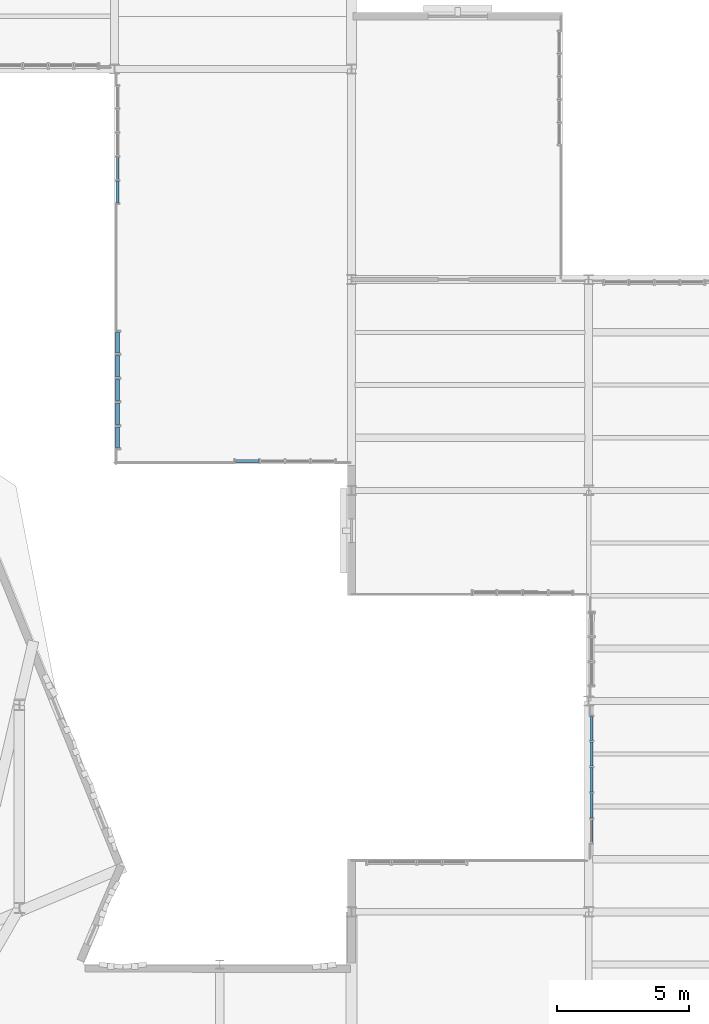
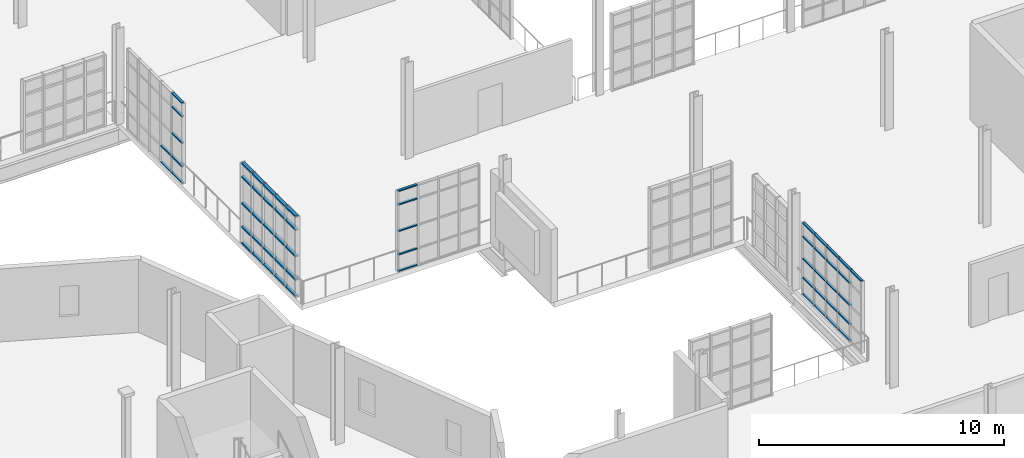
# One storey, part 66 of 122: 58 members, 4 elements without a shape of their own.
"""IFC4 building model written with IfcOpenShell, lengths in metres."""

from ifc_helpers import new_model, si_unit, direction, frame, origin, origin_2d, place, context, subcontext, project, spatial, hollow_rectangle, extrude, material, layer, layer_set, material_profile, profile_set, type_object, element, aggregate, save


model = new_model("IFC4")

# Units and contexts
model_context = context("Model", 3, precision=1e-05, world=origin(), true_north=direction((0.0, 1.0)))
body_context = subcontext(model_context, "Body", "Model", "MODEL_VIEW")
ifc_project = project(units=[si_unit("LENGTHUNIT", "METRE"), si_unit("AREAUNIT", "SQUARE_METRE"), si_unit("VOLUMEUNIT", "CUBIC_METRE"), si_unit("PLANEANGLEUNIT", "RADIAN"), si_unit("MASSUNIT", "GRAM", prefix="KILO"), si_unit("THERMODYNAMICTEMPERATUREUNIT", "KELVIN"), si_unit("POWERUNIT", "WATT")], contexts=[model_context])

# Site, building, storey
site_placement = place(None, origin())
site = spatial("IfcSite", under=ifc_project, at=site_placement, CompositionType="ELEMENT")
building_placement = place(site_placement, origin())
building = spatial("IfcBuilding", under=site, at=building_placement, Name="Zelmaris Science Centre", CompositionType="ELEMENT")
storey_placement = place(building_placement, frame((0.0, 0.0, 10.800048828125)))
storey = spatial("IfcBuildingStorey", under=building, at=storey_placement, Name="L02", CompositionType="ELEMENT", Elevation=10.800048828125)

# Curtain wall, members
ifc_material = material(Name="Anodised architectural aluminium 6063-T6", Category="aluminium")
ifc_layer_1 = layer(ifc_material, 0.219970703125, Name="Anodised architectural aluminium 6063-T6")
ifc_layer_set_1 = layer_set([ifc_layer_1], Name="Anodised architectural aluminium 6063-T6")
curtain_wall_type_1 = type_object("IfcCurtainWallType", Name="Curtain Wall CW-04", PredefinedType="USERDEFINED", material=ifc_layer_set_1)
curtain_wall_1_placement = place(storey_placement, origin())
curtain_wall_1 = element("IfcCurtainWall", 1, at=curtain_wall_1_placement, inside=storey, type_object=curtain_wall_type_1, Name="L02 Unitised curtain wall 264", ObjectType="GLAZED CURTAIN WALL", PredefinedType="USERDEFINED")
ifc_material_profile_1 = material_profile(ifc_material, hollow_rectangle(XDim=0.06005859375, YDim=0.110107421875, WallThickness=0.0029296875, at=origin_2d()), Name="ALU-TRN-60X110")
ifc_profile_set_1 = profile_set([ifc_material_profile_1], Name="Anodised architectural aluminium 6063-T6")
member_type_1 = type_object("IfcMemberType", Name="ALU-TRN-60X110", PredefinedType="USERDEFINED", material=ifc_profile_set_1)
member_1_placement = place(storey_placement, frame((117.1103515625, 34.61865234375, 3.552001953125), z_axis=(0.001084304052, 0.999999412142, 0.0), x_axis=(0.0, 0.0, 1.0)))
member_1 = element("IfcMember", 2, at=member_1_placement, type_object=member_type_1, Name="CW-04 transom 1.5", ObjectType="TRANSOM", PredefinedType="USERDEFINED", context=body_context, shape_type="SweptSolid", body=[
    extrude(hollow_rectangle(XDim=0.06005859375, YDim=0.110107421875, WallThickness=0.0029296875, at=origin_2d()), origin(), (0.0, 0.0, 1.0), 0.900634765625),
])
member_2_placement = place(storey_placement, frame((117.111328125, 35.5712890625, 0.010986328125), z_axis=(0.00105401786, 0.999999444523, 0.0), x_axis=(0.0, 0.0, 1.0)))
member_2 = element("IfcMember", 3, at=member_2_placement, type_object=member_type_1, Name="CW-04 transom 2.1", ObjectType="TRANSOM", PredefinedType="USERDEFINED", context=body_context, shape_type="SweptSolid", body=[
    extrude(hollow_rectangle(XDim=0.06005859375, YDim=0.110107421875, WallThickness=0.0029296875, at=origin_2d()), origin(), (0.0, 0.0, 1.0), 0.926513671875),
])
member_3_placement = place(storey_placement, frame((117.111328125, 35.5712890625, 0.8349609375), z_axis=(0.00105401786, 0.999999444523, 0.0), x_axis=(0.0, 0.0, 1.0)))
member_3 = element("IfcMember", 4, at=member_3_placement, type_object=member_type_1, Name="CW-04 transom 2.2", ObjectType="TRANSOM", PredefinedType="USERDEFINED", context=body_context, shape_type="SweptSolid", body=[
    extrude(hollow_rectangle(XDim=0.06005859375, YDim=0.110107421875, WallThickness=0.0029296875, at=origin_2d()), origin(), (0.0, 0.0, 1.0), 0.926513671875),
])
member_4_placement = place(storey_placement, frame((117.111328125, 35.5712890625, 1.781494140625), z_axis=(0.00105401786, 0.999999444523, 0.0), x_axis=(0.0, 0.0, 1.0)))
member_4 = element("IfcMember", 5, at=member_4_placement, type_object=member_type_1, Name="CW-04 transom 2.3", ObjectType="TRANSOM", PredefinedType="USERDEFINED", context=body_context, shape_type="SweptSolid", body=[
    extrude(hollow_rectangle(XDim=0.06005859375, YDim=0.110107421875, WallThickness=0.0029296875, at=origin_2d()), origin(), (0.0, 0.0, 1.0), 0.926513671875),
])
member_5_placement = place(storey_placement, frame((117.111328125, 35.5712890625, 2.8779296875), z_axis=(0.00105401786, 0.999999444523, 0.0), x_axis=(0.0, 0.0, 1.0)))
member_5 = element("IfcMember", 6, at=member_5_placement, type_object=member_type_1, Name="CW-04 transom 2.4", ObjectType="TRANSOM", PredefinedType="USERDEFINED", context=body_context, shape_type="SweptSolid", body=[
    extrude(hollow_rectangle(XDim=0.06005859375, YDim=0.110107421875, WallThickness=0.0029296875, at=origin_2d()), origin(), (0.0, 0.0, 1.0), 0.926513671875),
])
member_6_placement = place(storey_placement, frame((117.111328125, 35.5712890625, 3.552001953125), z_axis=(0.00105401786, 0.999999444523, 0.0), x_axis=(0.0, 0.0, 1.0)))
member_6 = element("IfcMember", 7, at=member_6_placement, type_object=member_type_1, Name="CW-04 transom 2.5", ObjectType="TRANSOM", PredefinedType="USERDEFINED", context=body_context, shape_type="SweptSolid", body=[
    extrude(hollow_rectangle(XDim=0.06005859375, YDim=0.110107421875, WallThickness=0.0029296875, at=origin_2d()), origin(), (0.0, 0.0, 1.0), 0.926513671875),
])
member_7_placement = place(storey_placement, frame((117.1123046875, 36.5498046875, 0.010986328125), z_axis=(0.001053740195, 0.999999444816, 0.0), x_axis=(0.0, 0.0, 1.0)))
member_7 = element("IfcMember", 8, at=member_7_placement, type_object=member_type_1, Name="CW-04 transom 3.1", ObjectType="TRANSOM", PredefinedType="USERDEFINED", context=body_context, shape_type="SweptSolid", body=[
    extrude(hollow_rectangle(XDim=0.06005859375, YDim=0.110107421875, WallThickness=0.0029296875, at=origin_2d()), origin(), (0.0, 0.0, 1.0), 0.9267578125),
])
member_8_placement = place(storey_placement, frame((117.1123046875, 36.5498046875, 0.8349609375), z_axis=(0.001053740195, 0.999999444816, 0.0), x_axis=(0.0, 0.0, 1.0)))
member_8 = element("IfcMember", 9, at=member_8_placement, type_object=member_type_1, Name="CW-04 transom 3.2", ObjectType="TRANSOM", PredefinedType="USERDEFINED", context=body_context, shape_type="SweptSolid", body=[
    extrude(hollow_rectangle(XDim=0.06005859375, YDim=0.110107421875, WallThickness=0.0029296875, at=origin_2d()), origin(), (0.0, 0.0, 1.0), 0.9267578125),
])
member_9_placement = place(storey_placement, frame((117.1123046875, 36.5498046875, 1.781494140625), z_axis=(0.001053740195, 0.999999444816, 0.0), x_axis=(0.0, 0.0, 1.0)))
member_9 = element("IfcMember", 10, at=member_9_placement, type_object=member_type_1, Name="CW-04 transom 3.3", ObjectType="TRANSOM", PredefinedType="USERDEFINED", context=body_context, shape_type="SweptSolid", body=[
    extrude(hollow_rectangle(XDim=0.06005859375, YDim=0.110107421875, WallThickness=0.0029296875, at=origin_2d()), origin(), (0.0, 0.0, 1.0), 0.9267578125),
])
member_10_placement = place(storey_placement, frame((117.1123046875, 36.5498046875, 2.8779296875), z_axis=(0.001053740195, 0.999999444816, 0.0), x_axis=(0.0, 0.0, 1.0)))
member_10 = element("IfcMember", 11, at=member_10_placement, type_object=member_type_1, Name="CW-04 transom 3.4", ObjectType="TRANSOM", PredefinedType="USERDEFINED", context=body_context, shape_type="SweptSolid", body=[
    extrude(hollow_rectangle(XDim=0.06005859375, YDim=0.110107421875, WallThickness=0.0029296875, at=origin_2d()), origin(), (0.0, 0.0, 1.0), 0.9267578125),
])
member_11_placement = place(storey_placement, frame((117.1123046875, 36.5498046875, 3.552001953125), z_axis=(0.001053740195, 0.999999444816, 0.0), x_axis=(0.0, 0.0, 1.0)))
member_11 = element("IfcMember", 12, at=member_11_placement, type_object=member_type_1, Name="CW-04 transom 3.5", ObjectType="TRANSOM", PredefinedType="USERDEFINED", context=body_context, shape_type="SweptSolid", body=[
    extrude(hollow_rectangle(XDim=0.06005859375, YDim=0.110107421875, WallThickness=0.0029296875, at=origin_2d()), origin(), (0.0, 0.0, 1.0), 0.9267578125),
])
member_12_placement = place(storey_placement, frame((117.113525390625, 37.528564453125, 0.010986328125), z_axis=(0.000790305338, 0.999999687709, 0.0), x_axis=(0.0, 0.0, 1.0)))
member_12 = element("IfcMember", 13, at=member_12_placement, type_object=member_type_1, Name="CW-04 transom 4.1", ObjectType="TRANSOM", PredefinedType="USERDEFINED", context=body_context, shape_type="SweptSolid", body=[
    extrude(hollow_rectangle(XDim=0.06005859375, YDim=0.110107421875, WallThickness=0.0029296875, at=origin_2d()), origin(), (0.0, 0.0, 1.0), 0.9267578125),
])
member_13_placement = place(storey_placement, frame((117.113525390625, 37.528564453125, 0.8349609375), z_axis=(0.000790305338, 0.999999687709, 0.0), x_axis=(0.0, 0.0, 1.0)))
member_13 = element("IfcMember", 14, at=member_13_placement, type_object=member_type_1, Name="CW-04 transom 4.2", ObjectType="TRANSOM", PredefinedType="USERDEFINED", context=body_context, shape_type="SweptSolid", body=[
    extrude(hollow_rectangle(XDim=0.06005859375, YDim=0.110107421875, WallThickness=0.0029296875, at=origin_2d()), origin(), (0.0, 0.0, 1.0), 0.9267578125),
])
member_14_placement = place(storey_placement, frame((117.113525390625, 37.528564453125, 1.781494140625), z_axis=(0.000790305338, 0.999999687709, 0.0), x_axis=(0.0, 0.0, 1.0)))
member_14 = element("IfcMember", 15, at=member_14_placement, type_object=member_type_1, Name="CW-04 transom 4.3", ObjectType="TRANSOM", PredefinedType="USERDEFINED", context=body_context, shape_type="SweptSolid", body=[
    extrude(hollow_rectangle(XDim=0.06005859375, YDim=0.110107421875, WallThickness=0.0029296875, at=origin_2d()), origin(), (0.0, 0.0, 1.0), 0.9267578125),
])
member_15_placement = place(storey_placement, frame((117.113525390625, 37.528564453125, 2.8779296875), z_axis=(0.000790305338, 0.999999687709, 0.0), x_axis=(0.0, 0.0, 1.0)))
member_15 = element("IfcMember", 16, at=member_15_placement, type_object=member_type_1, Name="CW-04 transom 4.4", ObjectType="TRANSOM", PredefinedType="USERDEFINED", context=body_context, shape_type="SweptSolid", body=[
    extrude(hollow_rectangle(XDim=0.06005859375, YDim=0.110107421875, WallThickness=0.0029296875, at=origin_2d()), origin(), (0.0, 0.0, 1.0), 0.9267578125),
])
member_16_placement = place(storey_placement, frame((117.113525390625, 37.528564453125, 3.552001953125), z_axis=(0.000790305338, 0.999999687709, 0.0), x_axis=(0.0, 0.0, 1.0)))
member_16 = element("IfcMember", 17, at=member_16_placement, type_object=member_type_1, Name="CW-04 transom 4.5", ObjectType="TRANSOM", PredefinedType="USERDEFINED", context=body_context, shape_type="SweptSolid", body=[
    extrude(hollow_rectangle(XDim=0.06005859375, YDim=0.110107421875, WallThickness=0.0029296875, at=origin_2d()), origin(), (0.0, 0.0, 1.0), 0.9267578125),
])
member_17_placement = place(storey_placement, frame((117.114501953125, 38.50732421875, 0.010986328125), z_axis=(0.000813228248, 0.99999966933, 0.0), x_axis=(0.0, 0.0, 1.0)))
member_17 = element("IfcMember", 18, at=member_17_placement, type_object=member_type_1, Name="CW-04 transom 5.1", ObjectType="TRANSOM", PredefinedType="USERDEFINED", context=body_context, shape_type="SweptSolid", body=[
    extrude(hollow_rectangle(XDim=0.06005859375, YDim=0.110107421875, WallThickness=0.0029296875, at=origin_2d()), origin(), (0.0, 0.0, 1.0), 0.900634765625),
])
member_18_placement = place(storey_placement, frame((117.114501953125, 38.50732421875, 0.8349609375), z_axis=(0.000813228248, 0.99999966933, 0.0), x_axis=(0.0, 0.0, 1.0)))
member_18 = element("IfcMember", 19, at=member_18_placement, type_object=member_type_1, Name="CW-04 transom 5.2", ObjectType="TRANSOM", PredefinedType="USERDEFINED", context=body_context, shape_type="SweptSolid", body=[
    extrude(hollow_rectangle(XDim=0.06005859375, YDim=0.110107421875, WallThickness=0.0029296875, at=origin_2d()), origin(), (0.0, 0.0, 1.0), 0.900634765625),
])
member_19_placement = place(storey_placement, frame((117.114501953125, 38.50732421875, 1.781494140625), z_axis=(0.000813228248, 0.99999966933, 0.0), x_axis=(0.0, 0.0, 1.0)))
member_19 = element("IfcMember", 20, at=member_19_placement, type_object=member_type_1, Name="CW-04 transom 5.3", ObjectType="TRANSOM", PredefinedType="USERDEFINED", context=body_context, shape_type="SweptSolid", body=[
    extrude(hollow_rectangle(XDim=0.06005859375, YDim=0.110107421875, WallThickness=0.0029296875, at=origin_2d()), origin(), (0.0, 0.0, 1.0), 0.900634765625),
])
member_20_placement = place(storey_placement, frame((117.114501953125, 38.50732421875, 2.8779296875), z_axis=(0.000813228248, 0.99999966933, 0.0), x_axis=(0.0, 0.0, 1.0)))
member_20 = element("IfcMember", 21, at=member_20_placement, type_object=member_type_1, Name="CW-04 transom 5.4", ObjectType="TRANSOM", PredefinedType="USERDEFINED", context=body_context, shape_type="SweptSolid", body=[
    extrude(hollow_rectangle(XDim=0.06005859375, YDim=0.110107421875, WallThickness=0.0029296875, at=origin_2d()), origin(), (0.0, 0.0, 1.0), 0.900634765625),
])
member_21_placement = place(storey_placement, frame((117.114501953125, 38.50732421875, 3.552001953125), z_axis=(0.000813228248, 0.99999966933, 0.0), x_axis=(0.0, 0.0, 1.0)))
member_21 = element("IfcMember", 22, at=member_21_placement, type_object=member_type_1, Name="CW-04 transom 5.5", ObjectType="TRANSOM", PredefinedType="USERDEFINED", context=body_context, shape_type="SweptSolid", body=[
    extrude(hollow_rectangle(XDim=0.06005859375, YDim=0.110107421875, WallThickness=0.0029296875, at=origin_2d()), origin(), (0.0, 0.0, 1.0), 0.900634765625),
])
aggregate(curtain_wall_1, [member_1, member_2, member_3, member_4, member_5, member_6, member_7, member_8, member_9, member_10, member_11, member_12, member_13, member_14, member_15, member_16, member_17, member_18, member_19, member_20, member_21])

curtain_wall_2_placement = place(storey_placement, origin())
curtain_wall_2 = element("IfcCurtainWall", 23, at=curtain_wall_2_placement, inside=storey, type_object=curtain_wall_type_1, Name="L02 Unitised curtain wall 268", ObjectType="GLAZED CURTAIN WALL", PredefinedType="USERDEFINED")
member_22_placement = place(storey_placement, frame((104.482421875, 49.118408203125, 0.010986328125), z_axis=(-0.999999962511, 0.000273822553, 0.0), x_axis=(0.0, 0.0, 1.0)))
member_22 = element("IfcMember", 24, at=member_22_placement, type_object=member_type_1, Name="CW-04 transom 4.1", ObjectType="TRANSOM", PredefinedType="USERDEFINED", context=body_context, shape_type="SweptSolid", body=[
    extrude(hollow_rectangle(XDim=0.06005859375, YDim=0.110107421875, WallThickness=0.0029296875, at=origin_2d()), origin(), (0.0, 0.0, 1.0), 0.8916015625),
])
member_23_placement = place(storey_placement, frame((104.482421875, 49.118408203125, 0.8349609375), z_axis=(-0.999999962511, 0.000273822553, 0.0), x_axis=(0.0, 0.0, 1.0)))
member_23 = element("IfcMember", 25, at=member_23_placement, type_object=member_type_1, Name="CW-04 transom 4.2", ObjectType="TRANSOM", PredefinedType="USERDEFINED", context=body_context, shape_type="SweptSolid", body=[
    extrude(hollow_rectangle(XDim=0.06005859375, YDim=0.110107421875, WallThickness=0.0029296875, at=origin_2d()), origin(), (0.0, 0.0, 1.0), 0.8916015625),
])
member_24_placement = place(storey_placement, frame((104.482421875, 49.118408203125, 2.00244140625), z_axis=(-0.999999962511, 0.000273822553, 0.0), x_axis=(0.0, 0.0, 1.0)))
member_24 = element("IfcMember", 26, at=member_24_placement, type_object=member_type_1, Name="CW-04 transom 4.3", ObjectType="TRANSOM", PredefinedType="USERDEFINED", context=body_context, shape_type="SweptSolid", body=[
    extrude(hollow_rectangle(XDim=0.06005859375, YDim=0.110107421875, WallThickness=0.0029296875, at=origin_2d()), origin(), (0.0, 0.0, 1.0), 0.8916015625),
])
member_25_placement = place(storey_placement, frame((104.482421875, 49.118408203125, 3.320068359375), z_axis=(-0.999999962511, 0.000273822553, 0.0), x_axis=(0.0, 0.0, 1.0)))
member_25 = element("IfcMember", 27, at=member_25_placement, type_object=member_type_1, Name="CW-04 transom 4.4", ObjectType="TRANSOM", PredefinedType="USERDEFINED", context=body_context, shape_type="SweptSolid", body=[
    extrude(hollow_rectangle(XDim=0.06005859375, YDim=0.110107421875, WallThickness=0.0029296875, at=origin_2d()), origin(), (0.0, 0.0, 1.0), 0.8916015625),
])
member_26_placement = place(storey_placement, frame((104.482421875, 49.118408203125, 3.993896484375), z_axis=(-0.999999962511, 0.000273822553, 0.0), x_axis=(0.0, 0.0, 1.0)))
member_26 = element("IfcMember", 28, at=member_26_placement, type_object=member_type_1, Name="CW-04 transom 4.5", ObjectType="TRANSOM", PredefinedType="USERDEFINED", context=body_context, shape_type="SweptSolid", body=[
    extrude(hollow_rectangle(XDim=0.06005859375, YDim=0.110107421875, WallThickness=0.0029296875, at=origin_2d()), origin(), (0.0, 0.0, 1.0), 0.8916015625),
])
aggregate(curtain_wall_2, [member_22, member_23, member_24, member_25, member_26])

curtain_wall_3_placement = place(storey_placement, origin())
curtain_wall_3 = element("IfcCurtainWall", 29, at=curtain_wall_3_placement, inside=storey, type_object=curtain_wall_type_1, Name="L02 Unitised curtain wall 272", ObjectType="GLAZED CURTAIN WALL", PredefinedType="USERDEFINED")
member_27_placement = place(storey_placement, frame((99.1201171875, 58.912109375, 0.010986328125), z_axis=(0.0, 1.0, 0.0), x_axis=(0.0, 0.0, 1.0)))
member_27 = element("IfcMember", 30, at=member_27_placement, type_object=member_type_1, Name="CW-04 transom 1.1", ObjectType="TRANSOM", PredefinedType="USERDEFINED", context=body_context, shape_type="SweptSolid", body=[
    extrude(hollow_rectangle(XDim=0.06005859375, YDim=0.110107421875, WallThickness=0.0029296875, at=origin_2d()), origin(), (0.0, 0.0, 1.0), 0.829833984375),
])
member_28_placement = place(storey_placement, frame((99.1201171875, 58.912109375, 0.8349609375), z_axis=(0.0, 1.0, 0.0), x_axis=(0.0, 0.0, 1.0)))
member_28 = element("IfcMember", 31, at=member_28_placement, type_object=member_type_1, Name="CW-04 transom 1.2", ObjectType="TRANSOM", PredefinedType="USERDEFINED", context=body_context, shape_type="SweptSolid", body=[
    extrude(hollow_rectangle(XDim=0.06005859375, YDim=0.110107421875, WallThickness=0.0029296875, at=origin_2d()), origin(), (0.0, 0.0, 1.0), 0.829833984375),
])
member_29_placement = place(storey_placement, frame((99.1201171875, 58.912109375, 2.00244140625), z_axis=(0.0, 1.0, 0.0), x_axis=(0.0, 0.0, 1.0)))
member_29 = element("IfcMember", 32, at=member_29_placement, type_object=member_type_1, Name="CW-04 transom 1.3", ObjectType="TRANSOM", PredefinedType="USERDEFINED", context=body_context, shape_type="SweptSolid", body=[
    extrude(hollow_rectangle(XDim=0.06005859375, YDim=0.110107421875, WallThickness=0.0029296875, at=origin_2d()), origin(), (0.0, 0.0, 1.0), 0.829833984375),
])
member_30_placement = place(storey_placement, frame((99.1201171875, 58.912109375, 3.320068359375), z_axis=(0.0, 1.0, 0.0), x_axis=(0.0, 0.0, 1.0)))
member_30 = element("IfcMember", 33, at=member_30_placement, type_object=member_type_1, Name="CW-04 transom 1.4", ObjectType="TRANSOM", PredefinedType="USERDEFINED", context=body_context, shape_type="SweptSolid", body=[
    extrude(hollow_rectangle(XDim=0.06005859375, YDim=0.110107421875, WallThickness=0.0029296875, at=origin_2d()), origin(), (0.0, 0.0, 1.0), 0.829833984375),
])
member_31_placement = place(storey_placement, frame((99.1201171875, 58.912109375, 3.993896484375), z_axis=(0.0, 1.0, 0.0), x_axis=(0.0, 0.0, 1.0)))
member_31 = element("IfcMember", 34, at=member_31_placement, type_object=member_type_1, Name="CW-04 transom 1.5", ObjectType="TRANSOM", PredefinedType="USERDEFINED", context=body_context, shape_type="SweptSolid", body=[
    extrude(hollow_rectangle(XDim=0.06005859375, YDim=0.110107421875, WallThickness=0.0029296875, at=origin_2d()), origin(), (0.0, 0.0, 1.0), 0.829833984375),
])
member_32_placement = place(storey_placement, frame((99.1201171875, 59.7939453125, 0.010986328125), z_axis=(0.0, 1.0, 0.0), x_axis=(0.0, 0.0, 1.0)))
member_32 = element("IfcMember", 35, at=member_32_placement, type_object=member_type_1, Name="CW-04 transom 2.1", ObjectType="TRANSOM", PredefinedType="USERDEFINED", context=body_context, shape_type="SweptSolid", body=[
    extrude(hollow_rectangle(XDim=0.06005859375, YDim=0.110107421875, WallThickness=0.0029296875, at=origin_2d()), origin(), (0.0, 0.0, 1.0), 0.85595703125),
])
member_33_placement = place(storey_placement, frame((99.1201171875, 59.7939453125, 0.8349609375), z_axis=(0.0, 1.0, 0.0), x_axis=(0.0, 0.0, 1.0)))
member_33 = element("IfcMember", 36, at=member_33_placement, type_object=member_type_1, Name="CW-04 transom 2.2", ObjectType="TRANSOM", PredefinedType="USERDEFINED", context=body_context, shape_type="SweptSolid", body=[
    extrude(hollow_rectangle(XDim=0.06005859375, YDim=0.110107421875, WallThickness=0.0029296875, at=origin_2d()), origin(), (0.0, 0.0, 1.0), 0.85595703125),
])
aggregate(curtain_wall_3, [member_27, member_28, member_29, member_30, member_31, member_32, member_33])

ifc_layer_2 = layer(ifc_material, 0.199951171875, Name="Anodised architectural aluminium 6063-T6")
ifc_layer_set_2 = layer_set([ifc_layer_2], Name="Anodised architectural aluminium 6063-T6")
curtain_wall_type_2 = type_object("IfcCurtainWallType", Name="Curtain Wall CW-02", PredefinedType="USERDEFINED", material=ifc_layer_set_2)
curtain_wall_4_placement = place(storey_placement, origin())
curtain_wall_4 = element("IfcCurtainWall", 37, at=curtain_wall_4_placement, inside=storey, type_object=curtain_wall_type_2, Name="L02 Unitised curtain wall 270", ObjectType="GLAZED CURTAIN WALL", PredefinedType="USERDEFINED")
ifc_material_profile_2 = material_profile(ifc_material, hollow_rectangle(XDim=0.074951171875, YDim=0.159912109375, WallThickness=0.00390625, at=origin_2d()), Name="ALU-TRN-75X160")
ifc_profile_set_2 = profile_set([ifc_material_profile_2], Name="Anodised architectural aluminium 6063-T6")
member_type_2 = type_object("IfcMemberType", Name="ALU-TRN-75X160", PredefinedType="USERDEFINED", material=ifc_profile_set_2)
member_34_placement = place(storey_placement, frame((99.1201171875, 49.607177734375, 0.0185546875), z_axis=(0.0, 1.0, 0.0), x_axis=(0.0, 0.0, 1.0)))
member_34 = element("IfcMember", 38, at=member_34_placement, type_object=member_type_2, Name="CW-02 transom 1.1", ObjectType="TRANSOM", PredefinedType="USERDEFINED", context=body_context, shape_type="SweptSolid", body=[
    extrude(hollow_rectangle(XDim=0.074951171875, YDim=0.159912109375, WallThickness=0.00390625, at=origin_2d()), origin(), (0.0, 0.0, 1.0), 0.807373046875),
])
member_35_placement = place(storey_placement, frame((99.1201171875, 49.607177734375, 0.8349609375), z_axis=(0.0, 1.0, 0.0), x_axis=(0.0, 0.0, 1.0)))
member_35 = element("IfcMember", 39, at=member_35_placement, type_object=member_type_2, Name="CW-02 transom 1.2", ObjectType="TRANSOM", PredefinedType="USERDEFINED", context=body_context, shape_type="SweptSolid", body=[
    extrude(hollow_rectangle(XDim=0.074951171875, YDim=0.159912109375, WallThickness=0.00390625, at=origin_2d()), origin(), (0.0, 0.0, 1.0), 0.807373046875),
])
member_36_placement = place(storey_placement, frame((99.1201171875, 49.607177734375, 2.00244140625), z_axis=(0.0, 1.0, 0.0), x_axis=(0.0, 0.0, 1.0)))
member_36 = element("IfcMember", 40, at=member_36_placement, type_object=member_type_2, Name="CW-02 transom 1.3", ObjectType="TRANSOM", PredefinedType="USERDEFINED", context=body_context, shape_type="SweptSolid", body=[
    extrude(hollow_rectangle(XDim=0.074951171875, YDim=0.159912109375, WallThickness=0.00390625, at=origin_2d()), origin(), (0.0, 0.0, 1.0), 0.807373046875),
])
member_37_placement = place(storey_placement, frame((99.1201171875, 49.607177734375, 3.320068359375), z_axis=(0.0, 1.0, 0.0), x_axis=(0.0, 0.0, 1.0)))
member_37 = element("IfcMember", 41, at=member_37_placement, type_object=member_type_2, Name="CW-02 transom 1.4", ObjectType="TRANSOM", PredefinedType="USERDEFINED", context=body_context, shape_type="SweptSolid", body=[
    extrude(hollow_rectangle(XDim=0.074951171875, YDim=0.159912109375, WallThickness=0.00390625, at=origin_2d()), origin(), (0.0, 0.0, 1.0), 0.807373046875),
])
member_38_placement = place(storey_placement, frame((99.1201171875, 49.607177734375, 3.986572265625), z_axis=(0.0, 1.0, 0.0), x_axis=(0.0, 0.0, 1.0)))
member_38 = element("IfcMember", 42, at=member_38_placement, type_object=member_type_2, Name="CW-02 transom 1.5", ObjectType="TRANSOM", PredefinedType="USERDEFINED", context=body_context, shape_type="SweptSolid", body=[
    extrude(hollow_rectangle(XDim=0.074951171875, YDim=0.159912109375, WallThickness=0.00390625, at=origin_2d()), origin(), (0.0, 0.0, 1.0), 0.807373046875),
])
member_39_placement = place(storey_placement, frame((99.1201171875, 50.481689453125, 0.0185546875), z_axis=(0.0, 1.0, 0.0), x_axis=(0.0, 0.0, 1.0)))
member_39 = element("IfcMember", 43, at=member_39_placement, type_object=member_type_2, Name="CW-02 transom 2.1", ObjectType="TRANSOM", PredefinedType="USERDEFINED", context=body_context, shape_type="SweptSolid", body=[
    extrude(hollow_rectangle(XDim=0.074951171875, YDim=0.159912109375, WallThickness=0.00390625, at=origin_2d()), origin(), (0.0, 0.0, 1.0), 0.8408203125),
])
member_40_placement = place(storey_placement, frame((99.1201171875, 50.481689453125, 0.8349609375), z_axis=(0.0, 1.0, 0.0), x_axis=(0.0, 0.0, 1.0)))
member_40 = element("IfcMember", 44, at=member_40_placement, type_object=member_type_2, Name="CW-02 transom 2.2", ObjectType="TRANSOM", PredefinedType="USERDEFINED", context=body_context, shape_type="SweptSolid", body=[
    extrude(hollow_rectangle(XDim=0.074951171875, YDim=0.159912109375, WallThickness=0.00390625, at=origin_2d()), origin(), (0.0, 0.0, 1.0), 0.8408203125),
])
member_41_placement = place(storey_placement, frame((99.1201171875, 50.481689453125, 2.00244140625), z_axis=(0.0, 1.0, 0.0), x_axis=(0.0, 0.0, 1.0)))
member_41 = element("IfcMember", 45, at=member_41_placement, type_object=member_type_2, Name="CW-02 transom 2.3", ObjectType="TRANSOM", PredefinedType="USERDEFINED", context=body_context, shape_type="SweptSolid", body=[
    extrude(hollow_rectangle(XDim=0.074951171875, YDim=0.159912109375, WallThickness=0.00390625, at=origin_2d()), origin(), (0.0, 0.0, 1.0), 0.8408203125),
])
member_42_placement = place(storey_placement, frame((99.1201171875, 50.481689453125, 3.320068359375), z_axis=(0.0, 1.0, 0.0), x_axis=(0.0, 0.0, 1.0)))
member_42 = element("IfcMember", 46, at=member_42_placement, type_object=member_type_2, Name="CW-02 transom 2.4", ObjectType="TRANSOM", PredefinedType="USERDEFINED", context=body_context, shape_type="SweptSolid", body=[
    extrude(hollow_rectangle(XDim=0.074951171875, YDim=0.159912109375, WallThickness=0.00390625, at=origin_2d()), origin(), (0.0, 0.0, 1.0), 0.8408203125),
])
member_43_placement = place(storey_placement, frame((99.1201171875, 50.481689453125, 3.986572265625), z_axis=(0.0, 1.0, 0.0), x_axis=(0.0, 0.0, 1.0)))
member_43 = element("IfcMember", 47, at=member_43_placement, type_object=member_type_2, Name="CW-02 transom 2.5", ObjectType="TRANSOM", PredefinedType="USERDEFINED", context=body_context, shape_type="SweptSolid", body=[
    extrude(hollow_rectangle(XDim=0.074951171875, YDim=0.159912109375, WallThickness=0.00390625, at=origin_2d()), origin(), (0.0, 0.0, 1.0), 0.8408203125),
])
member_44_placement = place(storey_placement, frame((99.1201171875, 51.3896484375, 0.0185546875), z_axis=(0.0, 1.0, 0.0), x_axis=(0.0, 0.0, 1.0)))
member_44 = element("IfcMember", 48, at=member_44_placement, type_object=member_type_2, Name="CW-02 transom 3.1", ObjectType="TRANSOM", PredefinedType="USERDEFINED", context=body_context, shape_type="SweptSolid", body=[
    extrude(hollow_rectangle(XDim=0.074951171875, YDim=0.159912109375, WallThickness=0.00390625, at=origin_2d()), origin(), (0.0, 0.0, 1.0), 0.8408203125),
])
member_45_placement = place(storey_placement, frame((99.1201171875, 51.3896484375, 0.8349609375), z_axis=(0.0, 1.0, 0.0), x_axis=(0.0, 0.0, 1.0)))
member_45 = element("IfcMember", 49, at=member_45_placement, type_object=member_type_2, Name="CW-02 transom 3.2", ObjectType="TRANSOM", PredefinedType="USERDEFINED", context=body_context, shape_type="SweptSolid", body=[
    extrude(hollow_rectangle(XDim=0.074951171875, YDim=0.159912109375, WallThickness=0.00390625, at=origin_2d()), origin(), (0.0, 0.0, 1.0), 0.8408203125),
])
member_46_placement = place(storey_placement, frame((99.1201171875, 51.3896484375, 2.00244140625), z_axis=(0.0, 1.0, 0.0), x_axis=(0.0, 0.0, 1.0)))
member_46 = element("IfcMember", 50, at=member_46_placement, type_object=member_type_2, Name="CW-02 transom 3.3", ObjectType="TRANSOM", PredefinedType="USERDEFINED", context=body_context, shape_type="SweptSolid", body=[
    extrude(hollow_rectangle(XDim=0.074951171875, YDim=0.159912109375, WallThickness=0.00390625, at=origin_2d()), origin(), (0.0, 0.0, 1.0), 0.8408203125),
])
member_47_placement = place(storey_placement, frame((99.1201171875, 51.3896484375, 3.320068359375), z_axis=(0.0, 1.0, 0.0), x_axis=(0.0, 0.0, 1.0)))
member_47 = element("IfcMember", 51, at=member_47_placement, type_object=member_type_2, Name="CW-02 transom 3.4", ObjectType="TRANSOM", PredefinedType="USERDEFINED", context=body_context, shape_type="SweptSolid", body=[
    extrude(hollow_rectangle(XDim=0.074951171875, YDim=0.159912109375, WallThickness=0.00390625, at=origin_2d()), origin(), (0.0, 0.0, 1.0), 0.8408203125),
])
member_48_placement = place(storey_placement, frame((99.1201171875, 51.3896484375, 3.986572265625), z_axis=(0.0, 1.0, 0.0), x_axis=(0.0, 0.0, 1.0)))
member_48 = element("IfcMember", 52, at=member_48_placement, type_object=member_type_2, Name="CW-02 transom 3.5", ObjectType="TRANSOM", PredefinedType="USERDEFINED", context=body_context, shape_type="SweptSolid", body=[
    extrude(hollow_rectangle(XDim=0.074951171875, YDim=0.159912109375, WallThickness=0.00390625, at=origin_2d()), origin(), (0.0, 0.0, 1.0), 0.8408203125),
])
member_49_placement = place(storey_placement, frame((99.1201171875, 52.297607421875, 0.0185546875), z_axis=(0.0, 1.0, 0.0), x_axis=(0.0, 0.0, 1.0)))
member_49 = element("IfcMember", 53, at=member_49_placement, type_object=member_type_2, Name="CW-02 transom 4.1", ObjectType="TRANSOM", PredefinedType="USERDEFINED", context=body_context, shape_type="SweptSolid", body=[
    extrude(hollow_rectangle(XDim=0.074951171875, YDim=0.159912109375, WallThickness=0.00390625, at=origin_2d()), origin(), (0.0, 0.0, 1.0), 0.8408203125),
])
member_50_placement = place(storey_placement, frame((99.1201171875, 52.297607421875, 0.8349609375), z_axis=(0.0, 1.0, 0.0), x_axis=(0.0, 0.0, 1.0)))
member_50 = element("IfcMember", 54, at=member_50_placement, type_object=member_type_2, Name="CW-02 transom 4.2", ObjectType="TRANSOM", PredefinedType="USERDEFINED", context=body_context, shape_type="SweptSolid", body=[
    extrude(hollow_rectangle(XDim=0.074951171875, YDim=0.159912109375, WallThickness=0.00390625, at=origin_2d()), origin(), (0.0, 0.0, 1.0), 0.8408203125),
])
member_51_placement = place(storey_placement, frame((99.1201171875, 52.297607421875, 2.00244140625), z_axis=(0.0, 1.0, 0.0), x_axis=(0.0, 0.0, 1.0)))
member_51 = element("IfcMember", 55, at=member_51_placement, type_object=member_type_2, Name="CW-02 transom 4.3", ObjectType="TRANSOM", PredefinedType="USERDEFINED", context=body_context, shape_type="SweptSolid", body=[
    extrude(hollow_rectangle(XDim=0.074951171875, YDim=0.159912109375, WallThickness=0.00390625, at=origin_2d()), origin(), (0.0, 0.0, 1.0), 0.8408203125),
])
member_52_placement = place(storey_placement, frame((99.1201171875, 52.297607421875, 3.320068359375), z_axis=(0.0, 1.0, 0.0), x_axis=(0.0, 0.0, 1.0)))
member_52 = element("IfcMember", 56, at=member_52_placement, type_object=member_type_2, Name="CW-02 transom 4.4", ObjectType="TRANSOM", PredefinedType="USERDEFINED", context=body_context, shape_type="SweptSolid", body=[
    extrude(hollow_rectangle(XDim=0.074951171875, YDim=0.159912109375, WallThickness=0.00390625, at=origin_2d()), origin(), (0.0, 0.0, 1.0), 0.8408203125),
])
member_53_placement = place(storey_placement, frame((99.1201171875, 52.297607421875, 3.986572265625), z_axis=(0.0, 1.0, 0.0), x_axis=(0.0, 0.0, 1.0)))
member_53 = element("IfcMember", 57, at=member_53_placement, type_object=member_type_2, Name="CW-02 transom 4.5", ObjectType="TRANSOM", PredefinedType="USERDEFINED", context=body_context, shape_type="SweptSolid", body=[
    extrude(hollow_rectangle(XDim=0.074951171875, YDim=0.159912109375, WallThickness=0.00390625, at=origin_2d()), origin(), (0.0, 0.0, 1.0), 0.8408203125),
])
member_54_placement = place(storey_placement, frame((99.1201171875, 53.20556640625, 0.0185546875), z_axis=(0.0, 1.0, 0.0), x_axis=(0.0, 0.0, 1.0)))
member_54 = element("IfcMember", 58, at=member_54_placement, type_object=member_type_2, Name="CW-02 transom 5.1", ObjectType="TRANSOM", PredefinedType="USERDEFINED", context=body_context, shape_type="SweptSolid", body=[
    extrude(hollow_rectangle(XDim=0.074951171875, YDim=0.159912109375, WallThickness=0.00390625, at=origin_2d()), origin(), (0.0, 0.0, 1.0), 0.807373046875),
])
member_55_placement = place(storey_placement, frame((99.1201171875, 53.20556640625, 0.8349609375), z_axis=(0.0, 1.0, 0.0), x_axis=(0.0, 0.0, 1.0)))
member_55 = element("IfcMember", 59, at=member_55_placement, type_object=member_type_2, Name="CW-02 transom 5.2", ObjectType="TRANSOM", PredefinedType="USERDEFINED", context=body_context, shape_type="SweptSolid", body=[
    extrude(hollow_rectangle(XDim=0.074951171875, YDim=0.159912109375, WallThickness=0.00390625, at=origin_2d()), origin(), (0.0, 0.0, 1.0), 0.807373046875),
])
member_56_placement = place(storey_placement, frame((99.1201171875, 53.20556640625, 2.00244140625), z_axis=(0.0, 1.0, 0.0), x_axis=(0.0, 0.0, 1.0)))
member_56 = element("IfcMember", 60, at=member_56_placement, type_object=member_type_2, Name="CW-02 transom 5.3", ObjectType="TRANSOM", PredefinedType="USERDEFINED", context=body_context, shape_type="SweptSolid", body=[
    extrude(hollow_rectangle(XDim=0.074951171875, YDim=0.159912109375, WallThickness=0.00390625, at=origin_2d()), origin(), (0.0, 0.0, 1.0), 0.807373046875),
])
member_57_placement = place(storey_placement, frame((99.1201171875, 53.20556640625, 3.320068359375), z_axis=(0.0, 1.0, 0.0), x_axis=(0.0, 0.0, 1.0)))
member_57 = element("IfcMember", 61, at=member_57_placement, type_object=member_type_2, Name="CW-02 transom 5.4", ObjectType="TRANSOM", PredefinedType="USERDEFINED", context=body_context, shape_type="SweptSolid", body=[
    extrude(hollow_rectangle(XDim=0.074951171875, YDim=0.159912109375, WallThickness=0.00390625, at=origin_2d()), origin(), (0.0, 0.0, 1.0), 0.807373046875),
])
member_58_placement = place(storey_placement, frame((99.1201171875, 53.20556640625, 3.986572265625), z_axis=(0.0, 1.0, 0.0), x_axis=(0.0, 0.0, 1.0)))
member_58 = element("IfcMember", 62, at=member_58_placement, type_object=member_type_2, Name="CW-02 transom 5.5", ObjectType="TRANSOM", PredefinedType="USERDEFINED", context=body_context, shape_type="SweptSolid", body=[
    extrude(hollow_rectangle(XDim=0.074951171875, YDim=0.159912109375, WallThickness=0.00390625, at=origin_2d()), origin(), (0.0, 0.0, 1.0), 0.807373046875),
])
aggregate(curtain_wall_4, [member_34, member_35, member_36, member_37, member_38, member_39, member_40, member_41, member_42, member_43, member_44, member_45, member_46, member_47, member_48, member_49, member_50, member_51, member_52, member_53, member_54, member_55, member_56, member_57, member_58])

save(model, "model.ifc")
